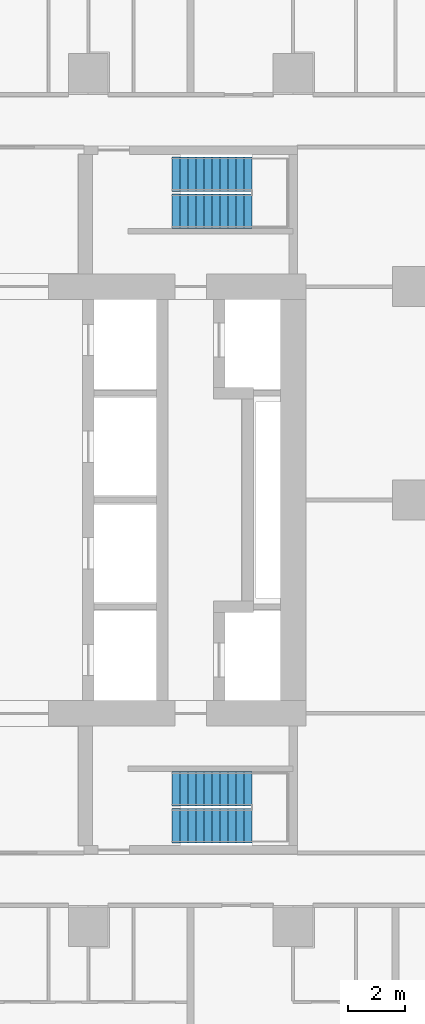
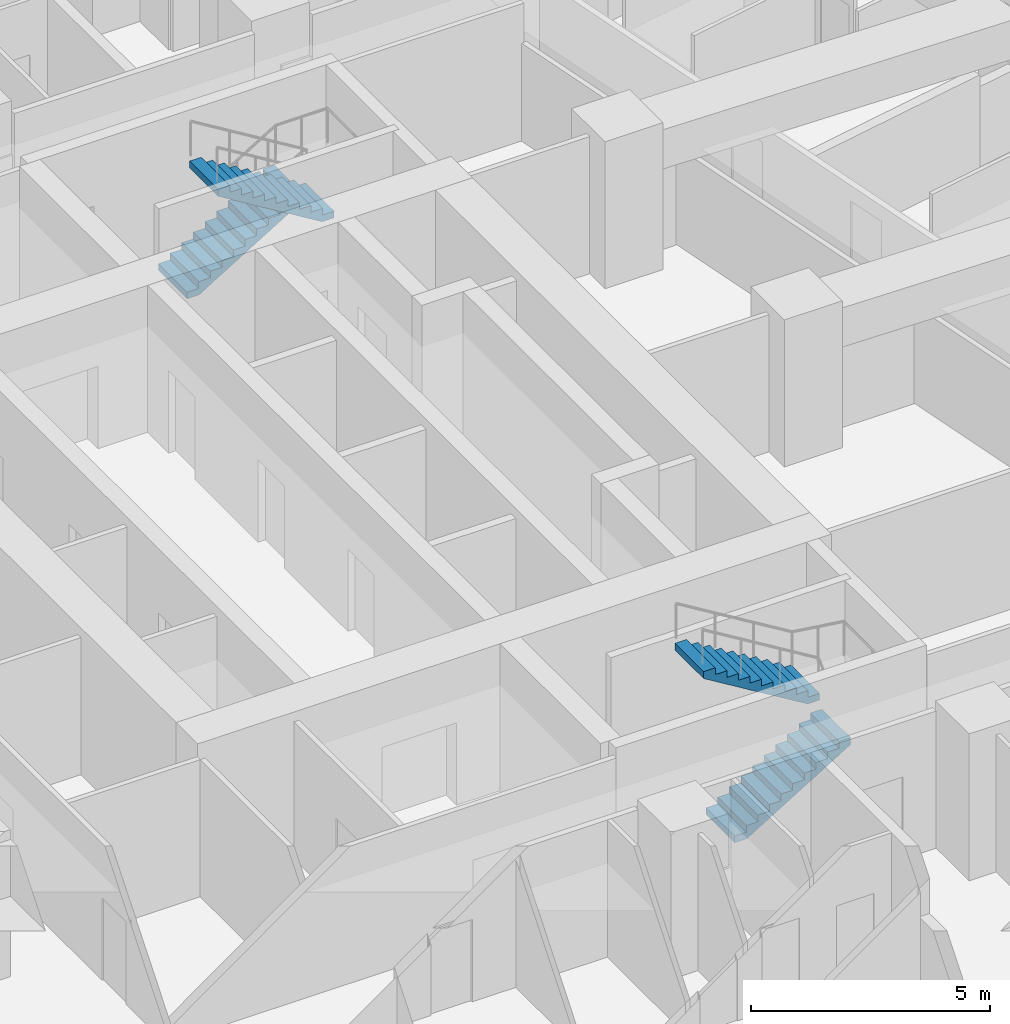
# One storey, part 18 of 19: 4 stair flights, 2 elements without a shape of their own.
"""IFC4 building model written with IfcOpenShell, lengths in metres."""

from ifc_helpers import new_model, si_unit, direction, frame, origin, place, context, subcontext, project, spatial, triangles, material, type_object, element, aggregate, save


model = new_model("IFC4")

# Units and contexts
model_context = context("Model", 3, precision=1e-05, world=origin(), true_north=direction((0.0, 1.0)))
body_context = subcontext(model_context, "Body", "Model", "MODEL_VIEW")
ifc_project = project(units=[si_unit("LENGTHUNIT", "METRE"), si_unit("AREAUNIT", "SQUARE_METRE"), si_unit("VOLUMEUNIT", "CUBIC_METRE"), si_unit("PLANEANGLEUNIT", "RADIAN"), si_unit("MASSUNIT", "GRAM", prefix="KILO")], contexts=[model_context])

# Site, building, storey
site_placement = place(None, origin())
site = spatial("IfcSite", under=ifc_project, at=site_placement, CompositionType="ELEMENT")
building_placement = place(site_placement, origin())
building = spatial("IfcBuilding", under=site, at=building_placement, Name="Sheger Commons Tower", CompositionType="ELEMENT")
storey_placement = place(building_placement, frame((0.0, 0.0, 216.199951171875)))
storey = spatial("IfcBuildingStorey", under=building, at=storey_placement, Name="L55", CompositionType="ELEMENT", Elevation=216.199951171875)

# Stair, stair flights
ifc_material_1 = material(Name="Concrete C35/45", Category="concrete")
stair_type = type_object("IfcStairType", Name="HALF-TURN STAIR 1200 RISE 3750", PredefinedType="HALF_TURN_STAIR", material=ifc_material_1)
stair_1_placement = place(storey_placement, origin())
stair_1 = element("IfcStair", 1, at=stair_1_placement, inside=storey, type_object=stair_type, Name="Stair S1 L55", PredefinedType="HALF_TURN_STAIR")
ifc_material_2 = material(Name="Concrete C35/45", Category="concrete")
stair_flight_type = type_object("IfcStairFlightType", Name="STAIR FLIGHT 1200 11 RISERS OF 170", PredefinedType="STRAIGHT", material=ifc_material_2)
stair_flight_1_placement = place(storey_placement, frame((24.550048828125, 11.050048828125, 0.0), z_axis=(0.0, 0.0, 1.0), x_axis=(1.0, 0.0, 0.0)))
stair_flight_1 = element("IfcStairFlight", 2, at=stair_flight_1_placement, type_object=stair_flight_type, Name="S1 flight 1", NumberOfRisers=11, NumberOfTreads=10, PredefinedType="STRAIGHT", RiserHeight=0.170454545, TreadLength=0.28, context=body_context, shape_type="Tessellation", body=[
    triangles([(0.0, 0.5999755859375, 0.0), (0.0, 0.5999755859375, 0.17041015625), (0.280029296875, 0.5999755859375, 0.17041015625), (0.280029296875, 0.5999755859375, 0.3408203125), (0.56005859375, 0.5999755859375, 0.3408203125), (0.56005859375, 0.5999755859375, 0.511474609375), (0.840087890625, 0.5999755859375, 0.511474609375), (0.840087890625, 0.5999755859375, 0.681884765625), (1.1201171875, 0.5999755859375, 0.681884765625), (1.1201171875, 0.5999755859375, 0.852294921875), (1.39990234375, 0.5999755859375, 0.852294921875), (1.39990234375, 0.5999755859375, 1.022705078125), (1.679931640625, 0.5999755859375, 1.022705078125), (1.679931640625, 0.5999755859375, 1.193115234375), (1.9599609375, 0.5999755859375, 1.193115234375), (1.9599609375, 0.5999755859375, 1.363525390625), (2.239990234375, 0.5999755859375, 1.363525390625), (2.239990234375, 0.5999755859375, 1.5341796875), (2.52001953125, 0.5999755859375, 1.5341796875), (2.52001953125, 0.5999755859375, 1.70458984375), (2.800048828125, 0.5999755859375, 1.70458984375), (2.800048828125, 0.5999755859375, 1.529052734375), (0.288330078125, 0.5999755859375, 0.0), (0.0, -0.5999755859375, 0.0), (0.0, -0.5999755859375, 0.17041015625), (0.280029296875, -0.5999755859375, 0.17041015625), (0.280029296875, -0.5999755859375, 0.3408203125), (0.56005859375, -0.5999755859375, 0.3408203125), (0.56005859375, -0.5999755859375, 0.511474609375), (0.840087890625, -0.5999755859375, 0.511474609375), (0.840087890625, -0.5999755859375, 0.681884765625), (1.1201171875, -0.5999755859375, 0.681884765625), (1.1201171875, -0.5999755859375, 0.852294921875), (1.39990234375, -0.5999755859375, 0.852294921875), (1.39990234375, -0.5999755859375, 1.022705078125), (1.679931640625, -0.5999755859375, 1.022705078125), (1.679931640625, -0.5999755859375, 1.193115234375), (1.9599609375, -0.5999755859375, 1.193115234375), (1.9599609375, -0.5999755859375, 1.363525390625), (2.239990234375, -0.5999755859375, 1.363525390625), (2.239990234375, -0.5999755859375, 1.5341796875), (2.52001953125, -0.5999755859375, 1.5341796875), (2.52001953125, -0.5999755859375, 1.70458984375), (2.800048828125, -0.5999755859375, 1.70458984375), (2.800048828125, -0.5999755859375, 1.529052734375), (0.288330078125, -0.5999755859375, 0.0), (0.0, 0.0, 0.085205078125), (0.1400146484375, 0.0, 0.17041015625), (0.280029296875, 0.0, 0.255615234375), (0.4200439453125, 0.0, 0.3408203125), (0.56005859375, 0.0, 0.4261474609375), (0.7000732421875, 0.0, 0.511474609375), (0.840087890625, 0.0, 0.5966796875), (0.9801025390625, 0.0, 0.681884765625), (1.1201171875, 0.0, 0.76708984375), (1.260009765625, 0.0, 0.852294921875), (1.39990234375, 0.0, 0.9375), (1.5399169921875, 0.0, 1.022705078125), (1.679931640625, 0.0, 1.10791015625), (1.8199462890625, 0.0, 1.193115234375), (1.9599609375, 0.0, 1.2783203125), (2.0999755859375, 0.0, 1.363525390625), (2.239990234375, 0.0, 1.4488525390625), (2.3800048828125, 0.0, 1.5341796875), (2.52001953125, 0.0, 1.619384765625), (2.6600341796875, 0.0, 1.70458984375), (2.800048828125, 0.0, 1.6168212890625), (1.544189453125, 0.0, 0.7645263671875), (0.1441650390625, 0.0, 0.0)], [[1, 22, 23], [24, 46, 45], [22, 20, 21], [45, 44, 43], [22, 19, 20], [45, 43, 42], [22, 18, 19], [45, 42, 41], [22, 17, 18], [45, 41, 40], [17, 15, 16], [40, 39, 38], [22, 15, 17], [45, 40, 38], [15, 13, 14], [38, 37, 36], [22, 13, 15], [45, 38, 36], [13, 11, 12], [36, 35, 34], [22, 11, 13], [45, 36, 34], [11, 9, 10], [34, 33, 32], [22, 9, 11], [45, 34, 32], [9, 7, 8], [32, 31, 30], [22, 7, 9], [45, 32, 30], [7, 5, 6], [30, 29, 28], [22, 5, 7], [45, 30, 28], [5, 3, 4], [28, 27, 26], [22, 3, 5], [45, 28, 26], [1, 3, 22], [24, 45, 26], [3, 1, 2], [26, 25, 24], [1, 47, 2], [2, 47, 25], [25, 47, 24], [24, 47, 1], [2, 48, 3], [3, 48, 26], [26, 48, 25], [25, 48, 2], [3, 49, 4], [4, 49, 27], [27, 49, 26], [26, 49, 3], [4, 50, 5], [5, 50, 28], [28, 50, 27], [27, 50, 4], [5, 51, 6], [6, 51, 29], [29, 51, 28], [28, 51, 5], [6, 52, 7], [7, 52, 30], [30, 52, 29], [29, 52, 6], [7, 53, 8], [8, 53, 31], [31, 53, 30], [30, 53, 7], [8, 54, 9], [9, 54, 32], [32, 54, 31], [31, 54, 8], [9, 55, 10], [10, 55, 33], [33, 55, 32], [32, 55, 9], [10, 56, 11], [11, 56, 34], [34, 56, 33], [33, 56, 10], [11, 57, 12], [12, 57, 35], [35, 57, 34], [34, 57, 11], [12, 58, 13], [13, 58, 36], [36, 58, 35], [35, 58, 12], [13, 59, 14], [14, 59, 37], [37, 59, 36], [36, 59, 13], [14, 60, 15], [15, 60, 38], [38, 60, 37], [37, 60, 14], [15, 61, 16], [16, 61, 39], [39, 61, 38], [38, 61, 15], [16, 62, 17], [17, 62, 40], [40, 62, 39], [39, 62, 16], [17, 63, 18], [18, 63, 41], [41, 63, 40], [40, 63, 17], [18, 64, 19], [19, 64, 42], [42, 64, 41], [41, 64, 18], [19, 65, 20], [20, 65, 43], [43, 65, 42], [42, 65, 19], [20, 66, 21], [21, 66, 44], [44, 66, 43], [43, 66, 20], [21, 67, 22], [22, 67, 45], [45, 67, 44], [44, 67, 21], [22, 68, 23], [23, 68, 46], [46, 68, 45], [45, 68, 22], [23, 69, 1], [1, 69, 24], [24, 69, 46], [46, 69, 23]], closed=True),
])
stair_flight_2_placement = place(storey_placement, frame((27.35009765625, 12.35009765625, 1.875), z_axis=(0.0, 0.0, 1.0), x_axis=(-1.0, 0.0, 0.0)))
stair_flight_2 = element("IfcStairFlight", 3, at=stair_flight_2_placement, type_object=stair_flight_type, Name="S1 flight 2", NumberOfRisers=11, NumberOfTreads=10, PredefinedType="STRAIGHT", RiserHeight=0.170454545, TreadLength=0.28, context=body_context, shape_type="Tessellation", body=[
    triangles([(0.0, 0.5999755859375, 0.0), (0.0, 0.5999755859375, 0.17041015625), (0.280029296875, 0.5999755859375, 0.17041015625), (0.280029296875, 0.5999755859375, 0.3408203125), (0.56005859375, 0.5999755859375, 0.3408203125), (0.56005859375, 0.5999755859375, 0.511474609375), (0.840087890625, 0.5999755859375, 0.511474609375), (0.840087890625, 0.5999755859375, 0.681884765625), (1.1201171875, 0.5999755859375, 0.681884765625), (1.1201171875, 0.5999755859375, 0.852294921875), (1.39990234375, 0.5999755859375, 0.852294921875), (1.39990234375, 0.5999755859375, 1.022705078125), (1.679931640625, 0.5999755859375, 1.022705078125), (1.679931640625, 0.5999755859375, 1.193115234375), (1.9599609375, 0.5999755859375, 1.193115234375), (1.9599609375, 0.5999755859375, 1.363525390625), (2.239990234375, 0.5999755859375, 1.363525390625), (2.239990234375, 0.5999755859375, 1.5341796875), (2.52001953125, 0.5999755859375, 1.5341796875), (2.52001953125, 0.5999755859375, 1.70458984375), (2.800048828125, 0.5999755859375, 1.70458984375), (2.800048828125, 0.5999755859375, 1.529052734375), (0.288330078125, 0.5999755859375, 0.0), (0.0, -0.5999755859375, 0.0), (0.0, -0.5999755859375, 0.17041015625), (0.280029296875, -0.5999755859375, 0.17041015625), (0.280029296875, -0.5999755859375, 0.3408203125), (0.56005859375, -0.5999755859375, 0.3408203125), (0.56005859375, -0.5999755859375, 0.511474609375), (0.840087890625, -0.5999755859375, 0.511474609375), (0.840087890625, -0.5999755859375, 0.681884765625), (1.1201171875, -0.5999755859375, 0.681884765625), (1.1201171875, -0.5999755859375, 0.852294921875), (1.39990234375, -0.5999755859375, 0.852294921875), (1.39990234375, -0.5999755859375, 1.022705078125), (1.679931640625, -0.5999755859375, 1.022705078125), (1.679931640625, -0.5999755859375, 1.193115234375), (1.9599609375, -0.5999755859375, 1.193115234375), (1.9599609375, -0.5999755859375, 1.363525390625), (2.239990234375, -0.5999755859375, 1.363525390625), (2.239990234375, -0.5999755859375, 1.5341796875), (2.52001953125, -0.5999755859375, 1.5341796875), (2.52001953125, -0.5999755859375, 1.70458984375), (2.800048828125, -0.5999755859375, 1.70458984375), (2.800048828125, -0.5999755859375, 1.529052734375), (0.288330078125, -0.5999755859375, 0.0), (0.0, 0.0, 0.085205078125), (0.1400146484375, 0.0, 0.17041015625), (0.280029296875, 0.0, 0.255615234375), (0.4200439453125, 0.0, 0.3408203125), (0.56005859375, 0.0, 0.4261474609375), (0.7000732421875, 0.0, 0.511474609375), (0.840087890625, 0.0, 0.5966796875), (0.9801025390625, 0.0, 0.681884765625), (1.1201171875, 0.0, 0.76708984375), (1.260009765625, 0.0, 0.852294921875), (1.39990234375, 0.0, 0.9375), (1.5399169921875, 0.0, 1.022705078125), (1.679931640625, 0.0, 1.10791015625), (1.8199462890625, 0.0, 1.193115234375), (1.9599609375, 0.0, 1.2783203125), (2.0999755859375, 0.0, 1.363525390625), (2.239990234375, 0.0, 1.4488525390625), (2.3800048828125, 0.0, 1.5341796875), (2.52001953125, 0.0, 1.619384765625), (2.6600341796875, 0.0, 1.70458984375), (2.800048828125, 0.0, 1.6168212890625), (1.544189453125, 0.0, 0.7645263671875), (0.1441650390625, 0.0, 0.0)], [[1, 22, 23], [24, 46, 45], [22, 20, 21], [45, 44, 43], [22, 19, 20], [45, 43, 42], [22, 18, 19], [45, 42, 41], [22, 17, 18], [45, 41, 40], [17, 15, 16], [40, 39, 38], [22, 15, 17], [45, 40, 38], [15, 13, 14], [38, 37, 36], [22, 13, 15], [45, 38, 36], [13, 11, 12], [36, 35, 34], [22, 11, 13], [45, 36, 34], [11, 9, 10], [34, 33, 32], [22, 9, 11], [45, 34, 32], [9, 7, 8], [32, 31, 30], [22, 7, 9], [45, 32, 30], [7, 5, 6], [30, 29, 28], [22, 5, 7], [45, 30, 28], [5, 3, 4], [28, 27, 26], [22, 3, 5], [45, 28, 26], [1, 3, 22], [24, 45, 26], [3, 1, 2], [26, 25, 24], [1, 47, 2], [2, 47, 25], [25, 47, 24], [24, 47, 1], [2, 48, 3], [3, 48, 26], [26, 48, 25], [25, 48, 2], [3, 49, 4], [4, 49, 27], [27, 49, 26], [26, 49, 3], [4, 50, 5], [5, 50, 28], [28, 50, 27], [27, 50, 4], [5, 51, 6], [6, 51, 29], [29, 51, 28], [28, 51, 5], [6, 52, 7], [7, 52, 30], [30, 52, 29], [29, 52, 6], [7, 53, 8], [8, 53, 31], [31, 53, 30], [30, 53, 7], [8, 54, 9], [9, 54, 32], [32, 54, 31], [31, 54, 8], [9, 55, 10], [10, 55, 33], [33, 55, 32], [32, 55, 9], [10, 56, 11], [11, 56, 34], [34, 56, 33], [33, 56, 10], [11, 57, 12], [12, 57, 35], [35, 57, 34], [34, 57, 11], [12, 58, 13], [13, 58, 36], [36, 58, 35], [35, 58, 12], [13, 59, 14], [14, 59, 37], [37, 59, 36], [36, 59, 13], [14, 60, 15], [15, 60, 38], [38, 60, 37], [37, 60, 14], [15, 61, 16], [16, 61, 39], [39, 61, 38], [38, 61, 15], [16, 62, 17], [17, 62, 40], [40, 62, 39], [39, 62, 16], [17, 63, 18], [18, 63, 41], [41, 63, 40], [40, 63, 17], [18, 64, 19], [19, 64, 42], [42, 64, 41], [41, 64, 18], [19, 65, 20], [20, 65, 43], [43, 65, 42], [42, 65, 19], [20, 66, 21], [21, 66, 44], [44, 66, 43], [43, 66, 20], [21, 67, 22], [22, 67, 45], [45, 67, 44], [44, 67, 21], [22, 68, 23], [23, 68, 46], [46, 68, 45], [45, 68, 22], [23, 69, 1], [1, 69, 24], [24, 69, 46], [46, 69, 23]], closed=True),
])
aggregate(stair_1, [stair_flight_1, stair_flight_2])

stair_2_placement = place(storey_placement, origin())
stair_2 = element("IfcStair", 4, at=stair_2_placement, inside=storey, type_object=stair_type, Name="Stair S2 L55", PredefinedType="HALF_TURN_STAIR")
stair_flight_3_placement = place(storey_placement, frame((24.550048828125, 33.949951171875, 0.0), z_axis=(0.0, 0.0, 1.0), x_axis=(1.0, 0.0, 0.0)))
stair_flight_3 = element("IfcStairFlight", 5, at=stair_flight_3_placement, type_object=stair_flight_type, Name="S2 flight 1", NumberOfRisers=11, NumberOfTreads=10, PredefinedType="STRAIGHT", RiserHeight=0.170454545, TreadLength=0.28, context=body_context, shape_type="Tessellation", body=[
    triangles([(0.0, 0.5999755859375, 0.0), (0.0, 0.5999755859375, 0.17041015625), (0.280029296875, 0.5999755859375, 0.17041015625), (0.280029296875, 0.5999755859375, 0.3408203125), (0.56005859375, 0.5999755859375, 0.3408203125), (0.56005859375, 0.5999755859375, 0.511474609375), (0.840087890625, 0.5999755859375, 0.511474609375), (0.840087890625, 0.5999755859375, 0.681884765625), (1.1201171875, 0.5999755859375, 0.681884765625), (1.1201171875, 0.5999755859375, 0.852294921875), (1.39990234375, 0.5999755859375, 0.852294921875), (1.39990234375, 0.5999755859375, 1.022705078125), (1.679931640625, 0.5999755859375, 1.022705078125), (1.679931640625, 0.5999755859375, 1.193115234375), (1.9599609375, 0.5999755859375, 1.193115234375), (1.9599609375, 0.5999755859375, 1.363525390625), (2.239990234375, 0.5999755859375, 1.363525390625), (2.239990234375, 0.5999755859375, 1.5341796875), (2.52001953125, 0.5999755859375, 1.5341796875), (2.52001953125, 0.5999755859375, 1.70458984375), (2.800048828125, 0.5999755859375, 1.70458984375), (2.800048828125, 0.5999755859375, 1.529052734375), (0.288330078125, 0.5999755859375, 0.0), (0.0, -0.5999755859375, 0.0), (0.0, -0.5999755859375, 0.17041015625), (0.280029296875, -0.5999755859375, 0.17041015625), (0.280029296875, -0.5999755859375, 0.3408203125), (0.56005859375, -0.5999755859375, 0.3408203125), (0.56005859375, -0.5999755859375, 0.511474609375), (0.840087890625, -0.5999755859375, 0.511474609375), (0.840087890625, -0.5999755859375, 0.681884765625), (1.1201171875, -0.5999755859375, 0.681884765625), (1.1201171875, -0.5999755859375, 0.852294921875), (1.39990234375, -0.5999755859375, 0.852294921875), (1.39990234375, -0.5999755859375, 1.022705078125), (1.679931640625, -0.5999755859375, 1.022705078125), (1.679931640625, -0.5999755859375, 1.193115234375), (1.9599609375, -0.5999755859375, 1.193115234375), (1.9599609375, -0.5999755859375, 1.363525390625), (2.239990234375, -0.5999755859375, 1.363525390625), (2.239990234375, -0.5999755859375, 1.5341796875), (2.52001953125, -0.5999755859375, 1.5341796875), (2.52001953125, -0.5999755859375, 1.70458984375), (2.800048828125, -0.5999755859375, 1.70458984375), (2.800048828125, -0.5999755859375, 1.529052734375), (0.288330078125, -0.5999755859375, 0.0), (0.0, 0.0, 0.085205078125), (0.1400146484375, 0.0, 0.17041015625), (0.280029296875, 0.0, 0.255615234375), (0.4200439453125, 0.0, 0.3408203125), (0.56005859375, 0.0, 0.4261474609375), (0.7000732421875, 0.0, 0.511474609375), (0.840087890625, 0.0, 0.5966796875), (0.9801025390625, 0.0, 0.681884765625), (1.1201171875, 0.0, 0.76708984375), (1.260009765625, 0.0, 0.852294921875), (1.39990234375, 0.0, 0.9375), (1.5399169921875, 0.0, 1.022705078125), (1.679931640625, 0.0, 1.10791015625), (1.8199462890625, 0.0, 1.193115234375), (1.9599609375, 0.0, 1.2783203125), (2.0999755859375, 0.0, 1.363525390625), (2.239990234375, 0.0, 1.4488525390625), (2.3800048828125, 0.0, 1.5341796875), (2.52001953125, 0.0, 1.619384765625), (2.6600341796875, 0.0, 1.70458984375), (2.800048828125, 0.0, 1.6168212890625), (1.544189453125, 0.0, 0.7645263671875), (0.1441650390625, 0.0, 0.0)], [[1, 22, 23], [24, 46, 45], [22, 20, 21], [45, 44, 43], [22, 19, 20], [45, 43, 42], [22, 18, 19], [45, 42, 41], [22, 17, 18], [45, 41, 40], [17, 15, 16], [40, 39, 38], [22, 15, 17], [45, 40, 38], [15, 13, 14], [38, 37, 36], [22, 13, 15], [45, 38, 36], [13, 11, 12], [36, 35, 34], [22, 11, 13], [45, 36, 34], [11, 9, 10], [34, 33, 32], [22, 9, 11], [45, 34, 32], [9, 7, 8], [32, 31, 30], [22, 7, 9], [45, 32, 30], [7, 5, 6], [30, 29, 28], [22, 5, 7], [45, 30, 28], [5, 3, 4], [28, 27, 26], [22, 3, 5], [45, 28, 26], [1, 3, 22], [24, 45, 26], [3, 1, 2], [26, 25, 24], [1, 47, 2], [2, 47, 25], [25, 47, 24], [24, 47, 1], [2, 48, 3], [3, 48, 26], [26, 48, 25], [25, 48, 2], [3, 49, 4], [4, 49, 27], [27, 49, 26], [26, 49, 3], [4, 50, 5], [5, 50, 28], [28, 50, 27], [27, 50, 4], [5, 51, 6], [6, 51, 29], [29, 51, 28], [28, 51, 5], [6, 52, 7], [7, 52, 30], [30, 52, 29], [29, 52, 6], [7, 53, 8], [8, 53, 31], [31, 53, 30], [30, 53, 7], [8, 54, 9], [9, 54, 32], [32, 54, 31], [31, 54, 8], [9, 55, 10], [10, 55, 33], [33, 55, 32], [32, 55, 9], [10, 56, 11], [11, 56, 34], [34, 56, 33], [33, 56, 10], [11, 57, 12], [12, 57, 35], [35, 57, 34], [34, 57, 11], [12, 58, 13], [13, 58, 36], [36, 58, 35], [35, 58, 12], [13, 59, 14], [14, 59, 37], [37, 59, 36], [36, 59, 13], [14, 60, 15], [15, 60, 38], [38, 60, 37], [37, 60, 14], [15, 61, 16], [16, 61, 39], [39, 61, 38], [38, 61, 15], [16, 62, 17], [17, 62, 40], [40, 62, 39], [39, 62, 16], [17, 63, 18], [18, 63, 41], [41, 63, 40], [40, 63, 17], [18, 64, 19], [19, 64, 42], [42, 64, 41], [41, 64, 18], [19, 65, 20], [20, 65, 43], [43, 65, 42], [42, 65, 19], [20, 66, 21], [21, 66, 44], [44, 66, 43], [43, 66, 20], [21, 67, 22], [22, 67, 45], [45, 67, 44], [44, 67, 21], [22, 68, 23], [23, 68, 46], [46, 68, 45], [45, 68, 22], [23, 69, 1], [1, 69, 24], [24, 69, 46], [46, 69, 23]], closed=True),
])
stair_flight_4_placement = place(storey_placement, frame((27.35009765625, 32.64990234375, 1.875), z_axis=(0.0, 0.0, 1.0), x_axis=(-1.0, 0.0, 0.0)))
stair_flight_4 = element("IfcStairFlight", 6, at=stair_flight_4_placement, type_object=stair_flight_type, Name="S2 flight 2", NumberOfRisers=11, NumberOfTreads=10, PredefinedType="STRAIGHT", RiserHeight=0.170454545, TreadLength=0.28, context=body_context, shape_type="Tessellation", body=[
    triangles([(0.0, 0.5999755859375, 0.0), (0.0, 0.5999755859375, 0.17041015625), (0.280029296875, 0.5999755859375, 0.17041015625), (0.280029296875, 0.5999755859375, 0.3408203125), (0.56005859375, 0.5999755859375, 0.3408203125), (0.56005859375, 0.5999755859375, 0.511474609375), (0.840087890625, 0.5999755859375, 0.511474609375), (0.840087890625, 0.5999755859375, 0.681884765625), (1.1201171875, 0.5999755859375, 0.681884765625), (1.1201171875, 0.5999755859375, 0.852294921875), (1.39990234375, 0.5999755859375, 0.852294921875), (1.39990234375, 0.5999755859375, 1.022705078125), (1.679931640625, 0.5999755859375, 1.022705078125), (1.679931640625, 0.5999755859375, 1.193115234375), (1.9599609375, 0.5999755859375, 1.193115234375), (1.9599609375, 0.5999755859375, 1.363525390625), (2.239990234375, 0.5999755859375, 1.363525390625), (2.239990234375, 0.5999755859375, 1.5341796875), (2.52001953125, 0.5999755859375, 1.5341796875), (2.52001953125, 0.5999755859375, 1.70458984375), (2.800048828125, 0.5999755859375, 1.70458984375), (2.800048828125, 0.5999755859375, 1.529052734375), (0.288330078125, 0.5999755859375, 0.0), (0.0, -0.5999755859375, 0.0), (0.0, -0.5999755859375, 0.17041015625), (0.280029296875, -0.5999755859375, 0.17041015625), (0.280029296875, -0.5999755859375, 0.3408203125), (0.56005859375, -0.5999755859375, 0.3408203125), (0.56005859375, -0.5999755859375, 0.511474609375), (0.840087890625, -0.5999755859375, 0.511474609375), (0.840087890625, -0.5999755859375, 0.681884765625), (1.1201171875, -0.5999755859375, 0.681884765625), (1.1201171875, -0.5999755859375, 0.852294921875), (1.39990234375, -0.5999755859375, 0.852294921875), (1.39990234375, -0.5999755859375, 1.022705078125), (1.679931640625, -0.5999755859375, 1.022705078125), (1.679931640625, -0.5999755859375, 1.193115234375), (1.9599609375, -0.5999755859375, 1.193115234375), (1.9599609375, -0.5999755859375, 1.363525390625), (2.239990234375, -0.5999755859375, 1.363525390625), (2.239990234375, -0.5999755859375, 1.5341796875), (2.52001953125, -0.5999755859375, 1.5341796875), (2.52001953125, -0.5999755859375, 1.70458984375), (2.800048828125, -0.5999755859375, 1.70458984375), (2.800048828125, -0.5999755859375, 1.529052734375), (0.288330078125, -0.5999755859375, 0.0), (0.0, 0.0, 0.085205078125), (0.1400146484375, 0.0, 0.17041015625), (0.280029296875, 0.0, 0.255615234375), (0.4200439453125, 0.0, 0.3408203125), (0.56005859375, 0.0, 0.4261474609375), (0.7000732421875, 0.0, 0.511474609375), (0.840087890625, 0.0, 0.5966796875), (0.9801025390625, 0.0, 0.681884765625), (1.1201171875, 0.0, 0.76708984375), (1.260009765625, 0.0, 0.852294921875), (1.39990234375, 0.0, 0.9375), (1.5399169921875, 0.0, 1.022705078125), (1.679931640625, 0.0, 1.10791015625), (1.8199462890625, 0.0, 1.193115234375), (1.9599609375, 0.0, 1.2783203125), (2.0999755859375, 0.0, 1.363525390625), (2.239990234375, 0.0, 1.4488525390625), (2.3800048828125, 0.0, 1.5341796875), (2.52001953125, 0.0, 1.619384765625), (2.6600341796875, 0.0, 1.70458984375), (2.800048828125, 0.0, 1.6168212890625), (1.544189453125, 0.0, 0.7645263671875), (0.1441650390625, 0.0, 0.0)], [[1, 22, 23], [24, 46, 45], [22, 20, 21], [45, 44, 43], [22, 19, 20], [45, 43, 42], [22, 18, 19], [45, 42, 41], [22, 17, 18], [45, 41, 40], [17, 15, 16], [40, 39, 38], [22, 15, 17], [45, 40, 38], [15, 13, 14], [38, 37, 36], [22, 13, 15], [45, 38, 36], [13, 11, 12], [36, 35, 34], [22, 11, 13], [45, 36, 34], [11, 9, 10], [34, 33, 32], [22, 9, 11], [45, 34, 32], [9, 7, 8], [32, 31, 30], [22, 7, 9], [45, 32, 30], [7, 5, 6], [30, 29, 28], [22, 5, 7], [45, 30, 28], [5, 3, 4], [28, 27, 26], [22, 3, 5], [45, 28, 26], [1, 3, 22], [24, 45, 26], [3, 1, 2], [26, 25, 24], [1, 47, 2], [2, 47, 25], [25, 47, 24], [24, 47, 1], [2, 48, 3], [3, 48, 26], [26, 48, 25], [25, 48, 2], [3, 49, 4], [4, 49, 27], [27, 49, 26], [26, 49, 3], [4, 50, 5], [5, 50, 28], [28, 50, 27], [27, 50, 4], [5, 51, 6], [6, 51, 29], [29, 51, 28], [28, 51, 5], [6, 52, 7], [7, 52, 30], [30, 52, 29], [29, 52, 6], [7, 53, 8], [8, 53, 31], [31, 53, 30], [30, 53, 7], [8, 54, 9], [9, 54, 32], [32, 54, 31], [31, 54, 8], [9, 55, 10], [10, 55, 33], [33, 55, 32], [32, 55, 9], [10, 56, 11], [11, 56, 34], [34, 56, 33], [33, 56, 10], [11, 57, 12], [12, 57, 35], [35, 57, 34], [34, 57, 11], [12, 58, 13], [13, 58, 36], [36, 58, 35], [35, 58, 12], [13, 59, 14], [14, 59, 37], [37, 59, 36], [36, 59, 13], [14, 60, 15], [15, 60, 38], [38, 60, 37], [37, 60, 14], [15, 61, 16], [16, 61, 39], [39, 61, 38], [38, 61, 15], [16, 62, 17], [17, 62, 40], [40, 62, 39], [39, 62, 16], [17, 63, 18], [18, 63, 41], [41, 63, 40], [40, 63, 17], [18, 64, 19], [19, 64, 42], [42, 64, 41], [41, 64, 18], [19, 65, 20], [20, 65, 43], [43, 65, 42], [42, 65, 19], [20, 66, 21], [21, 66, 44], [44, 66, 43], [43, 66, 20], [21, 67, 22], [22, 67, 45], [45, 67, 44], [44, 67, 21], [22, 68, 23], [23, 68, 46], [46, 68, 45], [45, 68, 22], [23, 69, 1], [1, 69, 24], [24, 69, 46], [46, 69, 23]], closed=True),
])
aggregate(stair_2, [stair_flight_3, stair_flight_4])

save(model, "model.ifc")
